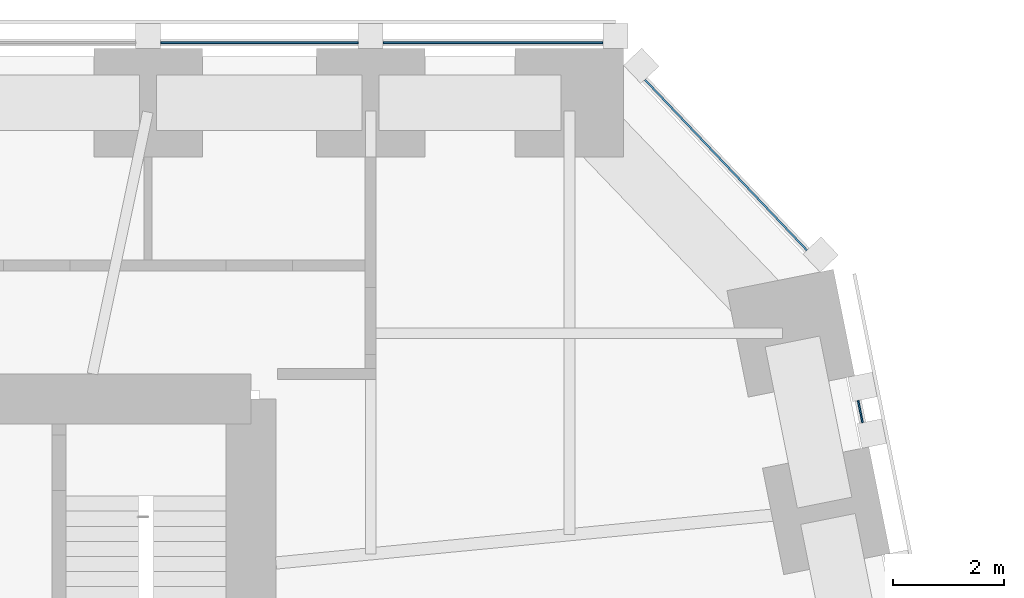
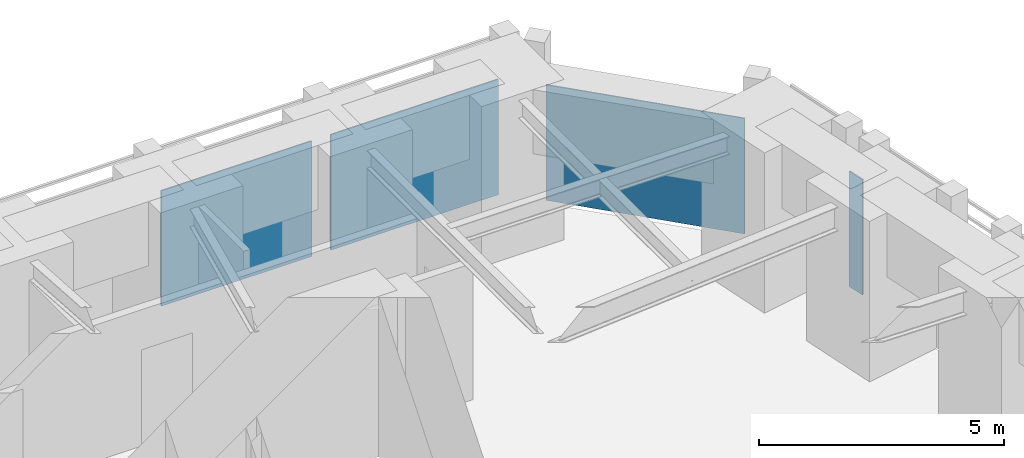
# One storey, part 11 of 18: 4 plates, 3 elements without a shape of their own.
"""IFC4 building model written with IfcOpenShell, lengths in metres."""

from ifc_helpers import new_model, si_unit, direction, frame, origin, origin_2d, place, context, subcontext, project, spatial, rectangle, extrude, material, layer, layer_set, type_object, element, aggregate, save


model = new_model("IFC4")

# Units and contexts
model_context = context("Model", 3, precision=1e-05, world=origin(), true_north=direction((0.0, 1.0)))
body_context = subcontext(model_context, "Body", "Model", "MODEL_VIEW")
ifc_project = project(units=[si_unit("LENGTHUNIT", "METRE"), si_unit("AREAUNIT", "SQUARE_METRE"), si_unit("VOLUMEUNIT", "CUBIC_METRE"), si_unit("PLANEANGLEUNIT", "RADIAN"), si_unit("MASSUNIT", "GRAM", prefix="KILO")], contexts=[model_context])

# Site, building, storey
site_placement = place(None, origin())
site = spatial("IfcSite", under=ifc_project, at=site_placement, CompositionType="ELEMENT")
building_placement = place(site_placement, origin())
building = spatial("IfcBuilding", under=site, at=building_placement, Name="Isbrekke Arena Tower", CompositionType="ELEMENT")
storey_placement = place(building_placement, frame((0.0, 0.0, 28.0)))
storey = spatial("IfcBuildingStorey", under=building, at=storey_placement, Name="L04", CompositionType="ELEMENT", Elevation=28.0)

# Curtain wall, plate
ifc_material_1 = material(Name="Glazed aluminium curtain wall", Category="aluminium")
curtain_wall_type = type_object("IfcCurtainWallType", Name="CWL TOWER CURTAIN WALL LOW ZONE", PredefinedType="USERDEFINED", material=ifc_material_1)
curtain_wall_1_placement = place(storey_placement, origin())
curtain_wall_1 = element("IfcCurtainWall", 1, at=curtain_wall_1_placement, inside=storey, type_object=curtain_wall_type, Name="CWL curtain wall L04-E215", ObjectType="TOWER CURTAIN WALL LOW ZONE", PredefinedType="USERDEFINED")
ifc_material_2 = material(Name="Triple-glazed clear glass unit", Category="glass")
ifc_layer = layer(ifc_material_2, 0.031982421875)
ifc_layer_set = layer_set([ifc_layer], Name="CWL-P VISION PANEL")
plate_type = type_object("IfcPlateType", Name="CWL-P VISION PANEL", PredefinedType="CURTAIN_PANEL", material=ifc_layer_set)
plate_1_placement = place(storey_placement, frame((24.80322265625, 23.62109375, 0.02001953125), z_axis=(0.0, 0.0, 1.0), x_axis=(-0.196116135138, 0.980580675691, 0.0)))
plate_1 = element("IfcPlate", 2, at=plate_1_placement, type_object=plate_type, Name="CWL-P panel 1", PredefinedType="CURTAIN_PANEL", context=body_context, shape_type="SweptSolid", body=[
    extrude(rectangle(XDim=0.40625, YDim=0.031982421875, at=origin_2d()), origin(), (0.0, 0.0, 1.0), 2.8798828125),
])
aggregate(curtain_wall_1, [plate_1])

curtain_wall_2_placement = place(storey_placement, origin())
curtain_wall_2 = element("IfcCurtainWall", 3, at=curtain_wall_2_placement, inside=storey, type_object=curtain_wall_type, Name="CWL curtain wall L04-EN", ObjectType="TOWER CURTAIN WALL LOW ZONE", PredefinedType="USERDEFINED")
plate_2_placement = place(storey_placement, frame((22.386474609375, 28.05419921875, 0.02001953125), z_axis=(0.0, 0.0, 1.0), x_axis=(-0.68874946192, 0.72499943359, 0.0)))
plate_2 = element("IfcPlate", 4, at=plate_2_placement, type_object=plate_type, Name="CWL-P panel 1", PredefinedType="CURTAIN_PANEL", context=body_context, shape_type="SweptSolid", body=[
    extrude(rectangle(XDim=4.22900390625, YDim=0.031982421875, at=origin_2d()), origin(), (0.0, 0.0, 1.0), 2.8798828125),
])
aggregate(curtain_wall_2, [plate_2])

# Curtain wall, plates
curtain_wall_3_placement = place(storey_placement, origin())
curtain_wall_3 = element("IfcCurtainWall", 5, at=curtain_wall_3_placement, inside=storey, type_object=curtain_wall_type, Name="CWL curtain wall L04-N", ObjectType="TOWER CURTAIN WALL LOW ZONE", PredefinedType="USERDEFINED")
plate_3_placement = place(storey_placement, frame((18.199951171875, 30.25, 0.02001953125), z_axis=(0.0, 0.0, 1.0), x_axis=(-1.0, 0.0, 0.0)))
plate_3 = element("IfcPlate", 6, at=plate_3_placement, type_object=plate_type, Name="CWL-P panel 1", PredefinedType="CURTAIN_PANEL", context=body_context, shape_type="SweptSolid", body=[
    extrude(rectangle(XDim=3.949951171875, YDim=0.031982421875, at=origin_2d()), origin(), (0.0, 0.0, 1.0), 2.8798828125),
])
plate_4_placement = place(storey_placement, frame((14.0, 30.25, 0.02001953125), z_axis=(0.0, 0.0, 1.0), x_axis=(-1.0, 0.0, 0.0)))
plate_4 = element("IfcPlate", 7, at=plate_4_placement, type_object=plate_type, Name="CWL-P panel 2", PredefinedType="CURTAIN_PANEL", context=body_context, shape_type="SweptSolid", body=[
    extrude(rectangle(XDim=3.550048828125, YDim=0.031982421875, at=origin_2d()), origin(), (0.0, 0.0, 1.0), 2.8798828125),
])
aggregate(curtain_wall_3, [plate_3, plate_4])

save(model, "model.ifc")
